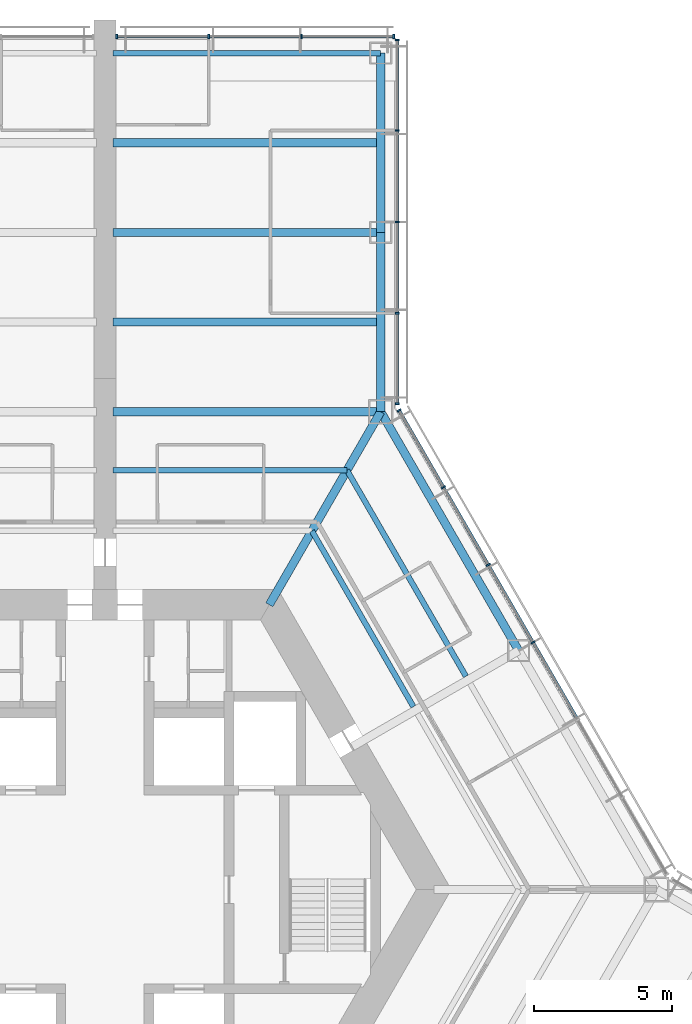
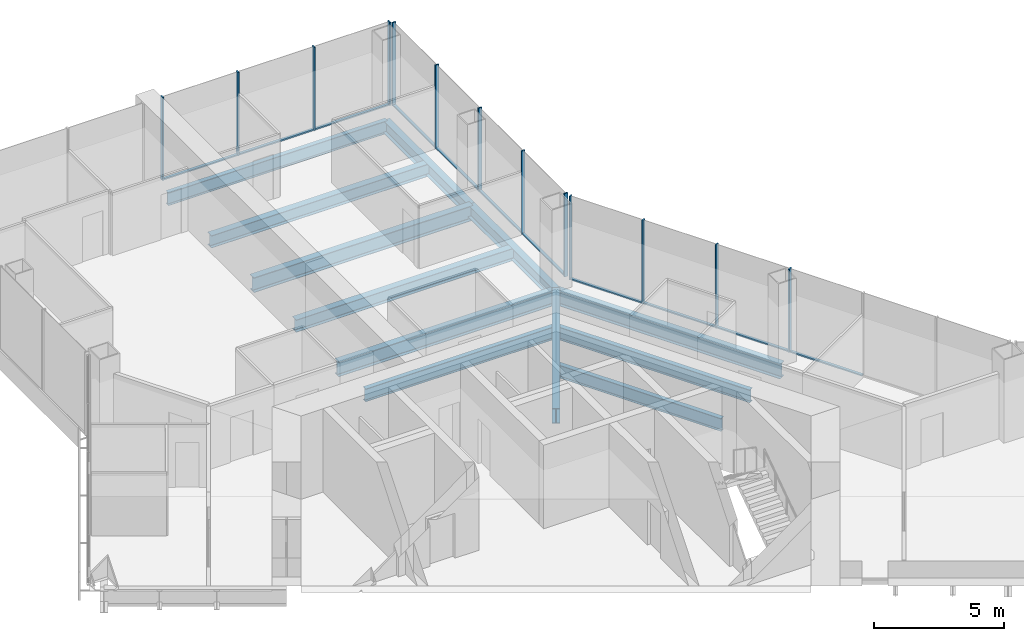
# One storey, part 8 of 19: 24 members, 12 beams, 3 elements without a shape of their own.
"""IFC4 building model written with IfcOpenShell, lengths in metres."""

from ifc_helpers import new_model, si_unit, direction, frame, origin, origin_2d, place, context, subcontext, project, spatial, rectangle, i_section, extrude, material, material_profile, profile_set, type_object, element, aggregate, save


model = new_model("IFC4")

# Units and contexts
model_context = context("Model", 3, precision=1e-05, world=origin(), true_north=direction((0.0, 1.0)))
body_context = subcontext(model_context, "Body", "Model", "MODEL_VIEW")
ifc_project = project(units=[si_unit("LENGTHUNIT", "METRE"), si_unit("AREAUNIT", "SQUARE_METRE"), si_unit("VOLUMEUNIT", "CUBIC_METRE"), si_unit("PLANEANGLEUNIT", "RADIAN"), si_unit("MASSUNIT", "GRAM", prefix="KILO")], contexts=[model_context])

# Site, building, storey
site_placement = place(None, origin())
site = spatial("IfcSite", under=ifc_project, at=site_placement, CompositionType="ELEMENT")
building_placement = place(site_placement, origin())
building = spatial("IfcBuilding", under=site, at=building_placement, Name="Kasaneha Research Tower", CompositionType="ELEMENT")
storey_placement = place(building_placement, frame((0.0, 0.0, 84.60009765625)))
storey = spatial("IfcBuildingStorey", under=building, at=storey_placement, Name="L21", CompositionType="ELEMENT", Elevation=84.60009765625)

# Beams
ifc_material_1 = material(Name="Steel SN490B", Category="steel")
ifc_material_profile_1 = material_profile(ifc_material_1, i_section(OverallWidth=0.199951171875, OverallDepth=0.60009765625, WebThickness=0.010986328125, FlangeThickness=0.01708984375, FilletRadius=0.012939453125, at=origin_2d()), Name="H-600x200x11x17")
ifc_profile_set_1 = profile_set([ifc_material_profile_1], Name="Steel SN490B")
beam_type_1 = type_object("IfcBeamType", Name="B1-3 secondary beam H-600x200x11x17", PredefinedType="JOIST", material=ifc_profile_set_1)
beam_1_placement = place(storey_placement, frame((7.505615234375, 13.0, -0.4501953125), z_axis=(0.499994443168, -0.866028611999, 0.0), x_axis=(0.866028611999, 0.499994443168, 0.0)))
element("IfcBeam", 1, at=beam_1_placement, inside=storey, type_object=beam_type_1, Name="Secondary beam RS030R1 L21", PredefinedType="JOIST", context=body_context, shape_type="SweptSolid", body=[
    extrude(i_section(OverallWidth=0.199951171875, OverallDepth=0.60009765625, WebThickness=0.010986328125, FlangeThickness=0.01708984375, FilletRadius=0.012939453125, at=origin_2d()), origin(), (0.0, 0.0, 1.0), 7.35546875),
])
beam_2_placement = place(storey_placement, frame((8.775634765625, 15.199951171875, -0.4501953125), z_axis=(0.500017275495, -0.866015429543, 0.0), x_axis=(0.866015429543, 0.500017275495, 0.0)))
element("IfcBeam", 2, at=beam_2_placement, inside=storey, type_object=beam_type_1, Name="Secondary beam RS030R2 L21", PredefinedType="JOIST", context=body_context, shape_type="SweptSolid", body=[
    extrude(i_section(OverallWidth=0.199951171875, OverallDepth=0.60009765625, WebThickness=0.010986328125, FlangeThickness=0.01708984375, FilletRadius=0.012939453125, at=origin_2d()), origin(), (0.0, 0.0, 1.0), 8.625732421875),
])
beam_3_placement = place(storey_placement, frame((8.775634765625, 15.199951171875, -0.4501953125), z_axis=(-1.0, 0.0, 0.0), x_axis=(0.0, -1.0, 0.0)))
element("IfcBeam", 3, at=beam_3_placement, inside=storey, type_object=beam_type_1, Name="Secondary beam RS090L2 L21", PredefinedType="JOIST", context=body_context, shape_type="SweptSolid", body=[
    extrude(i_section(OverallWidth=0.199951171875, OverallDepth=0.60009765625, WebThickness=0.010986328125, FlangeThickness=0.01708984375, FilletRadius=0.012939453125, at=origin_2d()), origin(), (0.0, 0.0, 1.0), 8.4755859375),
])
ifc_material_2 = material(Name="Steel SN490B", Category="steel")
ifc_material_profile_2 = material_profile(ifc_material_2, i_section(OverallWidth=0.300048828125, OverallDepth=0.58203125, WebThickness=0.011962890625, FlangeThickness=0.01708984375, FilletRadius=0.012939453125, at=origin_2d()), Name="H-582x300x12x17")
ifc_profile_set_2 = profile_set([ifc_material_profile_2], Name="Steel SN490B")
beam_type_2 = type_object("IfcBeamType", Name="B2-3 secondary beam H-582x300x12x17", PredefinedType="JOIST", material=ifc_profile_set_2)
for number, where, z_axis, x_axis, name in (
    (4, (10.0, 20.570556640625, -0.441162109375), (-1.0, 0.0, 0.0), (0.0, -1.0, 0.0), "Secondary beam WBAP1 L21"),
    (5, (10.0, 27.070556640625, -0.441162109375), (-1.0, 0.0, 0.0), (0.0, -1.0, 0.0), "Secondary beam WBAP2 L21"),
):
    element("IfcBeam", number, at=place(storey_placement, frame(where, z_axis=z_axis, x_axis=x_axis)), inside=storey, type_object=beam_type_2, Name=name, PredefinedType="JOIST", context=body_context, shape_type="SweptSolid", body=[
        extrude(i_section(OverallWidth=0.300048828125, OverallDepth=0.58203125, WebThickness=0.011962890625, FlangeThickness=0.01708984375, FilletRadius=0.012939453125, at=origin_2d()), origin(), (0.0, 0.0, 1.0), 9.699951171875),
    ])

# Curtain wall, members
ifc_material_3 = material(Name="Glass and aluminium", Category="aluminium")
curtain_wall_type = type_object("IfcCurtainWallType", Name="Low-rise office curtain wall", PredefinedType="USERDEFINED", material=ifc_material_3)
curtain_wall_1_placement = place(storey_placement, origin())
curtain_wall_1 = element("IfcCurtainWall", 6, at=curtain_wall_1_placement, inside=storey, type_object=curtain_wall_type, Name="CW-O1 L21 run 07a", ObjectType="UNITISED CURTAIN WALL", PredefinedType="USERDEFINED")
ifc_material_4 = material(Name="Aluminium 6063-T6", Category="aluminium")
ifc_material_profile_3 = material_profile(ifc_material_4, rectangle(XDim=0.06005859375, YDim=0.159912109375, at=origin_2d()), Name="CW-O1 mullion 60x160")
ifc_profile_set_3 = profile_set([ifc_material_profile_3], Name="Aluminium 6063-T6")
member_type_1 = type_object("IfcMemberType", Name="CW-O1 mullion", PredefinedType="MULLION", material=ifc_profile_set_3)
member_1_placement = place(storey_placement, frame((15.51953125, 8.960205078125, 0.0), z_axis=(0.0, 0.0, 1.0), x_axis=(-0.49999996188, 0.866025425793, 0.0)))
member_1 = element("IfcMember", 7, at=member_1_placement, type_object=member_type_1, Name="CW-O1 mullion 4", PredefinedType="MULLION", context=body_context, shape_type="SweptSolid", body=[
    extrude(rectangle(XDim=0.06005859375, YDim=0.159912109375, at=origin_2d()), origin(), (0.0, 0.0, 1.0), 3.89990234375),
])
member_2_placement = place(storey_placement, frame((13.896484375, 11.771728515625, 0.0), z_axis=(0.0, 0.0, 1.0), x_axis=(-0.49999996188, 0.866025425793, 0.0)))
member_2 = element("IfcMember", 8, at=member_2_placement, type_object=member_type_1, Name="CW-O1 mullion 5", PredefinedType="MULLION", context=body_context, shape_type="SweptSolid", body=[
    extrude(rectangle(XDim=0.06005859375, YDim=0.159912109375, at=origin_2d()), origin(), (0.0, 0.0, 1.0), 3.89990234375),
])
member_3_placement = place(storey_placement, frame((12.273193359375, 14.583251953125, 0.0), z_axis=(0.0, 0.0, 1.0), x_axis=(-0.49999996188, 0.866025425793, 0.0)))
member_3 = element("IfcMember", 9, at=member_3_placement, type_object=member_type_1, Name="CW-O1 mullion 6", PredefinedType="MULLION", context=body_context, shape_type="SweptSolid", body=[
    extrude(rectangle(XDim=0.06005859375, YDim=0.159912109375, at=origin_2d()), origin(), (0.0, 0.0, 1.0), 3.89990234375),
])
member_4_placement = place(storey_placement, frame((10.6650390625, 17.36865234375, 0.0), z_axis=(0.0, 0.0, 1.0), x_axis=(-0.49999996188, 0.866025425793, 0.0)))
member_4 = element("IfcMember", 10, at=member_4_placement, type_object=member_type_1, Name="CW-O1 mullion 7", PredefinedType="MULLION", context=body_context, shape_type="SweptSolid", body=[
    extrude(rectangle(XDim=0.06005859375, YDim=0.159912109375, at=origin_2d()), origin(), (0.0, 0.0, 1.0), 3.89990234375),
])

curtain_wall_2_placement = place(storey_placement, origin())
curtain_wall_2 = element("IfcCurtainWall", 11, at=curtain_wall_2_placement, inside=storey, type_object=curtain_wall_type, Name="CW-O1 L21 run 08a", ObjectType="UNITISED CURTAIN WALL", PredefinedType="USERDEFINED")
member_5_placement = place(storey_placement, frame((10.60009765625, 17.611328125, 0.0), z_axis=(0.0, 0.0, 1.0), x_axis=(0.0, 1.0, 0.0)))
member_5 = element("IfcMember", 12, at=member_5_placement, type_object=member_type_1, Name="CW-O1 mullion 1", PredefinedType="MULLION", context=body_context, shape_type="SweptSolid", body=[
    extrude(rectangle(XDim=0.06005859375, YDim=0.159912109375, at=origin_2d()), origin(), (0.0, 0.0, 1.0), 3.89990234375),
])
member_6_placement = place(storey_placement, frame((10.60009765625, 20.89111328125, 0.0), z_axis=(0.0, 0.0, 1.0), x_axis=(0.0, 1.0, 0.0)))
member_6 = element("IfcMember", 13, at=member_6_placement, type_object=member_type_1, Name="CW-O1 mullion 2", PredefinedType="MULLION", context=body_context, shape_type="SweptSolid", body=[
    extrude(rectangle(XDim=0.06005859375, YDim=0.159912109375, at=origin_2d()), origin(), (0.0, 0.0, 1.0), 3.89990234375),
])
member_7_placement = place(storey_placement, frame((10.60009765625, 24.200927734375, 0.0), z_axis=(0.0, 0.0, 1.0), x_axis=(0.0, 1.0, 0.0)))
member_7 = element("IfcMember", 14, at=member_7_placement, type_object=member_type_1, Name="CW-O1 mullion 3", PredefinedType="MULLION", context=body_context, shape_type="SweptSolid", body=[
    extrude(rectangle(XDim=0.06005859375, YDim=0.159912109375, at=origin_2d()), origin(), (0.0, 0.0, 1.0), 3.89990234375),
])
member_8_placement = place(storey_placement, frame((10.60009765625, 27.5107421875, 0.0), z_axis=(0.0, 0.0, 1.0), x_axis=(0.0, 1.0, 0.0)))
member_8 = element("IfcMember", 15, at=member_8_placement, type_object=member_type_1, Name="CW-O1 mullion 4", PredefinedType="MULLION", context=body_context, shape_type="SweptSolid", body=[
    extrude(rectangle(XDim=0.06005859375, YDim=0.159912109375, at=origin_2d()), origin(), (0.0, 0.0, 1.0), 3.89990234375),
])
member_9_placement = place(storey_placement, frame((10.60009765625, 30.79052734375, 0.0), z_axis=(0.0, 0.0, 1.0), x_axis=(0.0, 1.0, 0.0)))
member_9 = element("IfcMember", 16, at=member_9_placement, type_object=member_type_1, Name="CW-O1 mullion 5", PredefinedType="MULLION", context=body_context, shape_type="SweptSolid", body=[
    extrude(rectangle(XDim=0.06005859375, YDim=0.159912109375, at=origin_2d()), origin(), (0.0, 0.0, 1.0), 3.89990234375),
])

curtain_wall_3_placement = place(storey_placement, origin())
curtain_wall_3 = element("IfcCurtainWall", 17, at=curtain_wall_3_placement, inside=storey, type_object=curtain_wall_type, Name="CW-O1 L21 run 09a", ObjectType="UNITISED CURTAIN WALL", PredefinedType="USERDEFINED")
member_10_placement = place(storey_placement, frame((10.469970703125, 30.92041015625, 0.0), z_axis=(0.0, 0.0, 1.0), x_axis=(-1.0, 0.0, 0.0)))
member_10 = element("IfcMember", 18, at=member_10_placement, type_object=member_type_1, Name="CW-O1 mullion 1", PredefinedType="MULLION", context=body_context, shape_type="SweptSolid", body=[
    extrude(rectangle(XDim=0.06005859375, YDim=0.159912109375, at=origin_2d()), origin(), (0.0, 0.0, 1.0), 3.89990234375),
])
member_11_placement = place(storey_placement, frame((7.13330078125, 30.92041015625, 0.0), z_axis=(0.0, 0.0, 1.0), x_axis=(-1.0, 0.0, 0.0)))
member_11 = element("IfcMember", 19, at=member_11_placement, type_object=member_type_1, Name="CW-O1 mullion 2", PredefinedType="MULLION", context=body_context, shape_type="SweptSolid", body=[
    extrude(rectangle(XDim=0.06005859375, YDim=0.159912109375, at=origin_2d()), origin(), (0.0, 0.0, 1.0), 3.89990234375),
])
member_12_placement = place(storey_placement, frame((3.7666015625, 30.92041015625, 0.0), z_axis=(0.0, 0.0, 1.0), x_axis=(-1.0, 0.0, 0.0)))
member_12 = element("IfcMember", 20, at=member_12_placement, type_object=member_type_1, Name="CW-O1 mullion 3", PredefinedType="MULLION", context=body_context, shape_type="SweptSolid", body=[
    extrude(rectangle(XDim=0.06005859375, YDim=0.159912109375, at=origin_2d()), origin(), (0.0, 0.0, 1.0), 3.89990234375),
])
member_13_placement = place(storey_placement, frame((0.429931640625, 30.92041015625, 0.0), z_axis=(0.0, 0.0, 1.0), x_axis=(-1.0, 0.0, 0.0)))
member_13 = element("IfcMember", 21, at=member_13_placement, type_object=member_type_1, Name="CW-O1 mullion 4", PredefinedType="MULLION", context=body_context, shape_type="SweptSolid", body=[
    extrude(rectangle(XDim=0.06005859375, YDim=0.159912109375, at=origin_2d()), origin(), (0.0, 0.0, 1.0), 3.89990234375),
])

# Member
ifc_material_5 = material(Name="Aluminium 6063-T6", Category="aluminium")
ifc_material_profile_4 = material_profile(ifc_material_5, rectangle(XDim=0.1201171875, YDim=0.06005859375, at=origin_2d()), Name="CW-O1 transom 120x60")
ifc_profile_set_4 = profile_set([ifc_material_profile_4], Name="Aluminium 6063-T6")
member_type_2 = type_object("IfcMemberType", Name="CW-O1 transom", PredefinedType="USERDEFINED", material=ifc_profile_set_4)
member_14_placement = place(storey_placement, frame((17.1279296875, 6.1748046875, 0.02978515625), z_axis=(-0.500012062035, 0.866018439653, 0.0), x_axis=(-0.866018439653, -0.500012062035, 0.0)))
member_14 = element("IfcMember", 22, at=member_14_placement, type_object=member_type_2, Name="CW-O1 transom 3", ObjectType="TRANSOM", PredefinedType="USERDEFINED", context=body_context, shape_type="SweptSolid", body=[
    extrude(rectangle(XDim=0.1201171875, YDim=0.06005859375, at=origin_2d()), origin(), (0.0, 0.0, 1.0), 3.1865234375),
])

member_15_placement = place(storey_placement, frame((15.504638671875, 8.986328125, 0.02978515625), z_axis=(-0.500012062035, 0.866018439653, 0.0), x_axis=(-0.866018439653, -0.500012062035, 0.0)))
member_15 = element("IfcMember", 23, at=member_15_placement, type_object=member_type_2, Name="CW-O1 transom 4", ObjectType="TRANSOM", PredefinedType="USERDEFINED", context=body_context, shape_type="SweptSolid", body=[
    extrude(rectangle(XDim=0.1201171875, YDim=0.06005859375, at=origin_2d()), origin(), (0.0, 0.0, 1.0), 3.1865234375),
])

member_16_placement = place(storey_placement, frame((13.88134765625, 11.797607421875, 0.02978515625), z_axis=(-0.500012062035, 0.866018439653, 0.0), x_axis=(-0.866018439653, -0.500012062035, 0.0)))
member_16 = element("IfcMember", 24, at=member_16_placement, type_object=member_type_2, Name="CW-O1 transom 5", ObjectType="TRANSOM", PredefinedType="USERDEFINED", context=body_context, shape_type="SweptSolid", body=[
    extrude(rectangle(XDim=0.1201171875, YDim=0.06005859375, at=origin_2d()), origin(), (0.0, 0.0, 1.0), 3.1865234375),
])

member_17_placement = place(storey_placement, frame((12.25830078125, 14.609130859375, 0.02978515625), z_axis=(-0.500023726918, 0.866011704609, 0.0), x_axis=(-0.866011704609, -0.500023726918, 0.0)))
member_17 = element("IfcMember", 25, at=member_17_placement, type_object=member_type_2, Name="CW-O1 transom 6", ObjectType="TRANSOM", PredefinedType="USERDEFINED", context=body_context, shape_type="SweptSolid", body=[
    extrude(rectangle(XDim=0.1201171875, YDim=0.06005859375, at=origin_2d()), origin(), (0.0, 0.0, 1.0), 3.156494140625),
])

aggregate(curtain_wall_1, [member_1, member_2, member_3, member_4, member_14, member_15, member_16, member_17])

member_18_placement = place(storey_placement, frame((10.60009765625, 17.641357421875, 0.02978515625), z_axis=(0.0, 1.0, 0.0), x_axis=(-1.0, 0.0, 0.0)))
member_18 = element("IfcMember", 26, at=member_18_placement, type_object=member_type_2, Name="CW-O1 transom 1", ObjectType="TRANSOM", PredefinedType="USERDEFINED", context=body_context, shape_type="SweptSolid", body=[
    extrude(rectangle(XDim=0.1201171875, YDim=0.06005859375, at=origin_2d()), origin(), (0.0, 0.0, 1.0), 3.2197265625),
])

member_19_placement = place(storey_placement, frame((10.60009765625, 20.921142578125, 0.02978515625), z_axis=(0.0, 1.0, 0.0), x_axis=(-1.0, 0.0, 0.0)))
member_19 = element("IfcMember", 27, at=member_19_placement, type_object=member_type_2, Name="CW-O1 transom 2", ObjectType="TRANSOM", PredefinedType="USERDEFINED", context=body_context, shape_type="SweptSolid", body=[
    extrude(rectangle(XDim=0.1201171875, YDim=0.06005859375, at=origin_2d()), origin(), (0.0, 0.0, 1.0), 3.249755859375),
])

member_20_placement = place(storey_placement, frame((10.60009765625, 24.23095703125, 0.02978515625), z_axis=(0.0, 1.0, 0.0), x_axis=(-1.0, 0.0, 0.0)))
member_20 = element("IfcMember", 28, at=member_20_placement, type_object=member_type_2, Name="CW-O1 transom 3", ObjectType="TRANSOM", PredefinedType="USERDEFINED", context=body_context, shape_type="SweptSolid", body=[
    extrude(rectangle(XDim=0.1201171875, YDim=0.06005859375, at=origin_2d()), origin(), (0.0, 0.0, 1.0), 3.249755859375),
])

member_21_placement = place(storey_placement, frame((10.60009765625, 27.540771484375, 0.02978515625), z_axis=(0.0, 1.0, 0.0), x_axis=(-1.0, 0.0, 0.0)))
member_21 = element("IfcMember", 29, at=member_21_placement, type_object=member_type_2, Name="CW-O1 transom 4", ObjectType="TRANSOM", PredefinedType="USERDEFINED", context=body_context, shape_type="SweptSolid", body=[
    extrude(rectangle(XDim=0.1201171875, YDim=0.06005859375, at=origin_2d()), origin(), (0.0, 0.0, 1.0), 3.2197265625),
])

aggregate(curtain_wall_2, [member_5, member_6, member_7, member_8, member_9, member_18, member_19, member_20, member_21])

member_22_placement = place(storey_placement, frame((10.43994140625, 30.92041015625, 0.02978515625), z_axis=(-1.0, 0.0, 0.0), x_axis=(0.0, -1.0, 0.0)))
member_22 = element("IfcMember", 30, at=member_22_placement, type_object=member_type_2, Name="CW-O1 transom 1", ObjectType="TRANSOM", PredefinedType="USERDEFINED", context=body_context, shape_type="SweptSolid", body=[
    extrude(rectangle(XDim=0.1201171875, YDim=0.06005859375, at=origin_2d()), origin(), (0.0, 0.0, 1.0), 3.276611328125),
])

member_23_placement = place(storey_placement, frame((7.103271484375, 30.92041015625, 0.02978515625), z_axis=(-1.0, 0.0, 0.0), x_axis=(0.0, -1.0, 0.0)))
member_23 = element("IfcMember", 31, at=member_23_placement, type_object=member_type_2, Name="CW-O1 transom 2", ObjectType="TRANSOM", PredefinedType="USERDEFINED", context=body_context, shape_type="SweptSolid", body=[
    extrude(rectangle(XDim=0.1201171875, YDim=0.06005859375, at=origin_2d()), origin(), (0.0, 0.0, 1.0), 3.306640625),
])

member_24_placement = place(storey_placement, frame((3.736572265625, 30.92041015625, 0.02978515625), z_axis=(-1.0, 0.0, 0.0), x_axis=(0.0, -1.0, 0.0)))
member_24 = element("IfcMember", 32, at=member_24_placement, type_object=member_type_2, Name="CW-O1 transom 3", ObjectType="TRANSOM", PredefinedType="USERDEFINED", context=body_context, shape_type="SweptSolid", body=[
    extrude(rectangle(XDim=0.1201171875, YDim=0.06005859375, at=origin_2d()), origin(), (0.0, 0.0, 1.0), 3.276611328125),
])

aggregate(curtain_wall_3, [member_10, member_11, member_12, member_13, member_22, member_23, member_24])

# Beams
ifc_material_6 = material(Name="Steel SN490B", Category="steel")
ifc_material_profile_5 = material_profile(ifc_material_6, i_section(OverallWidth=0.300048828125, OverallDepth=0.699951171875, WebThickness=0.012939453125, FlangeThickness=0.02392578125, FilletRadius=0.01806640625, at=origin_2d()), Name="H-700x300x13x24")
ifc_profile_set_5 = profile_set([ifc_material_profile_5], Name="Steel SN490B")
beam_type_3 = type_object("IfcBeamType", Name="G1-3 radial girder H-700x300x13x24", PredefinedType="BEAM", material=ifc_profile_set_5)
beam_4_placement = place(storey_placement, frame((5.961181640625, 10.324951171875, -0.5), z_axis=(0.49999105496, 0.866030568144, 0.0), x_axis=(-0.866030568144, 0.49999105496, 0.0)))
element("IfcBeam", 33, at=beam_4_placement, inside=storey, type_object=beam_type_3, Name="Radial girder RV060 L21", PredefinedType="BEAM", context=body_context, shape_type="SweptSolid", body=[
    extrude(i_section(OverallWidth=0.300048828125, OverallDepth=0.699951171875, WebThickness=0.012939453125, FlangeThickness=0.02392578125, FilletRadius=0.01806640625, at=origin_2d()), origin(), (0.0, 0.0, 1.0), 8.077880859375),
])
ifc_material_7 = material(Name="Steel SN490B", Category="steel")
ifc_material_profile_6 = material_profile(ifc_material_7, i_section(OverallWidth=0.300048828125, OverallDepth=0.69189453125, WebThickness=0.012939453125, FlangeThickness=0.02001953125, FilletRadius=0.01806640625, at=origin_2d()), Name="H-692x300x13x20")
ifc_profile_set_6 = profile_set([ifc_material_profile_6], Name="Steel SN490B")
beam_type_4 = type_object("IfcBeamType", Name="G3-3 plate edge girder H-692x300x13x20", PredefinedType="BEAM", material=ifc_profile_set_6)
beam_5_placement = place(storey_placement, frame((10.0, 17.320556640625, -0.49609375), z_axis=(-1.0, 0.0, 0.0), x_axis=(0.0, -1.0, 0.0)))
element("IfcBeam", 34, at=beam_5_placement, inside=storey, type_object=beam_type_4, Name="Plate edge girder PEAP L21", PredefinedType="BEAM", context=body_context, shape_type="SweptSolid", body=[
    extrude(i_section(OverallWidth=0.300048828125, OverallDepth=0.69189453125, WebThickness=0.012939453125, FlangeThickness=0.02001953125, FilletRadius=0.01806640625, at=origin_2d()), origin(), (0.0, 0.0, 1.0), 9.699951171875),
])
ifc_material_8 = material(Name="Steel SN490B", Category="steel")
ifc_material_profile_7 = material_profile(ifc_material_8, i_section(OverallWidth=0.300048828125, OverallDepth=0.699951171875, WebThickness=0.012939453125, FlangeThickness=0.02392578125, FilletRadius=0.01806640625, at=origin_2d()), Name="H-700x300x13x24")
ifc_profile_set_7 = profile_set([ifc_material_profile_7], Name="Steel SN490B")
beam_type_5 = type_object("IfcBeamType", Name="G4-3 wing girder H-700x300x13x24", PredefinedType="BEAM", material=ifc_profile_set_7)
beam_6_placement = place(storey_placement, frame((10.0, 23.820556640625, -0.5), z_axis=(-1.0, 0.0, 0.0), x_axis=(0.0, -1.0, 0.0)))
element("IfcBeam", 35, at=beam_6_placement, inside=storey, type_object=beam_type_5, Name="Wing girder WGAP L21", PredefinedType="BEAM", context=body_context, shape_type="SweptSolid", body=[
    extrude(i_section(OverallWidth=0.300048828125, OverallDepth=0.699951171875, WebThickness=0.012939453125, FlangeThickness=0.02392578125, FilletRadius=0.01806640625, at=origin_2d()), origin(), (0.0, 0.0, 1.0), 9.699951171875),
])
ifc_material_9 = material(Name="Steel SN490B", Category="steel")
ifc_material_profile_8 = material_profile(ifc_material_9, i_section(OverallWidth=0.300048828125, OverallDepth=0.69189453125, WebThickness=0.012939453125, FlangeThickness=0.02001953125, FilletRadius=0.01806640625, at=origin_2d()), Name="H-692x300x13x20")
ifc_profile_set_8 = profile_set([ifc_material_profile_8], Name="Steel SN490B")
beam_type_6 = type_object("IfcBeamType", Name="SB1-3 spandrel beam H-692x300x13x20", PredefinedType="SPANDREL", material=ifc_profile_set_8)
beam_7_placement = place(storey_placement, frame((10.0, 17.320556640625, -0.49609375), z_axis=(0.499993662806, -0.866029062534, 0.0), x_axis=(0.866029062534, 0.499993662806, 0.0)))
element("IfcBeam", 36, at=beam_7_placement, inside=storey, type_object=beam_type_6, Name="Spandrel beam SR030R L21", PredefinedType="SPANDREL", context=body_context, shape_type="SweptSolid", body=[
    extrude(i_section(OverallWidth=0.300048828125, OverallDepth=0.69189453125, WebThickness=0.012939453125, FlangeThickness=0.02001953125, FilletRadius=0.01806640625, at=origin_2d()), origin(), (0.0, 0.0, 1.0), 10.000244140625),
])
ifc_material_10 = material(Name="Steel SN490B", Category="steel")
ifc_material_profile_9 = material_profile(ifc_material_10, i_section(OverallWidth=0.300048828125, OverallDepth=0.58203125, WebThickness=0.011962890625, FlangeThickness=0.01708984375, FilletRadius=0.012939453125, at=origin_2d()), Name="H-582x300x12x17")
ifc_profile_set_9 = profile_set([ifc_material_profile_9], Name="Steel SN490B")
beam_type_7 = type_object("IfcBeamType", Name="SB2-3 spandrel beam H-582x300x12x17", PredefinedType="SPANDREL", material=ifc_profile_set_9)
for number, where, z_axis, x_axis, name in (
    (37, (10.0, 17.320556640625, -0.441162109375), (0.0, 1.0, 0.0), (-1.0, 0.0, 0.0), "Spandrel beam WSAP1 L21"),
    (38, (10.0, 23.820556640625, -0.441162109375), (0.0, 1.0, 0.0), (-1.0, 0.0, 0.0), "Spandrel beam WSAP2 L21"),
):
    element("IfcBeam", number, at=place(storey_placement, frame(where, z_axis=z_axis, x_axis=x_axis)), inside=storey, type_object=beam_type_7, Name=name, PredefinedType="SPANDREL", context=body_context, shape_type="SweptSolid", body=[
        extrude(i_section(OverallWidth=0.300048828125, OverallDepth=0.58203125, WebThickness=0.011962890625, FlangeThickness=0.01708984375, FilletRadius=0.012939453125, at=origin_2d()), origin(), (0.0, 0.0, 1.0), 6.5),
    ])
ifc_material_11 = material(Name="Steel SN490B", Category="steel")
ifc_material_profile_10 = material_profile(ifc_material_11, i_section(OverallWidth=0.199951171875, OverallDepth=0.60009765625, WebThickness=0.010986328125, FlangeThickness=0.01708984375, FilletRadius=0.012939453125, at=origin_2d()), Name="H-600x200x11x17")
ifc_profile_set_10 = profile_set([ifc_material_profile_10], Name="Steel SN490B")
beam_type_8 = type_object("IfcBeamType", Name="SB3-3 spandrel beam H-600x200x11x17", PredefinedType="SPANDREL", material=ifc_profile_set_10)
beam_8_placement = place(storey_placement, frame((10.0, 30.320556640625, -0.4501953125), z_axis=(-1.0, 0.0, 0.0), x_axis=(0.0, -1.0, 0.0)))
element("IfcBeam", 39, at=beam_8_placement, inside=storey, type_object=beam_type_8, Name="Spandrel beam WTAP L21", PredefinedType="SPANDREL", context=body_context, shape_type="SweptSolid", body=[
    extrude(i_section(OverallWidth=0.199951171875, OverallDepth=0.60009765625, WebThickness=0.010986328125, FlangeThickness=0.01708984375, FilletRadius=0.012939453125, at=origin_2d()), origin(), (0.0, 0.0, 1.0), 9.699951171875),
])

save(model, "model.ifc")
